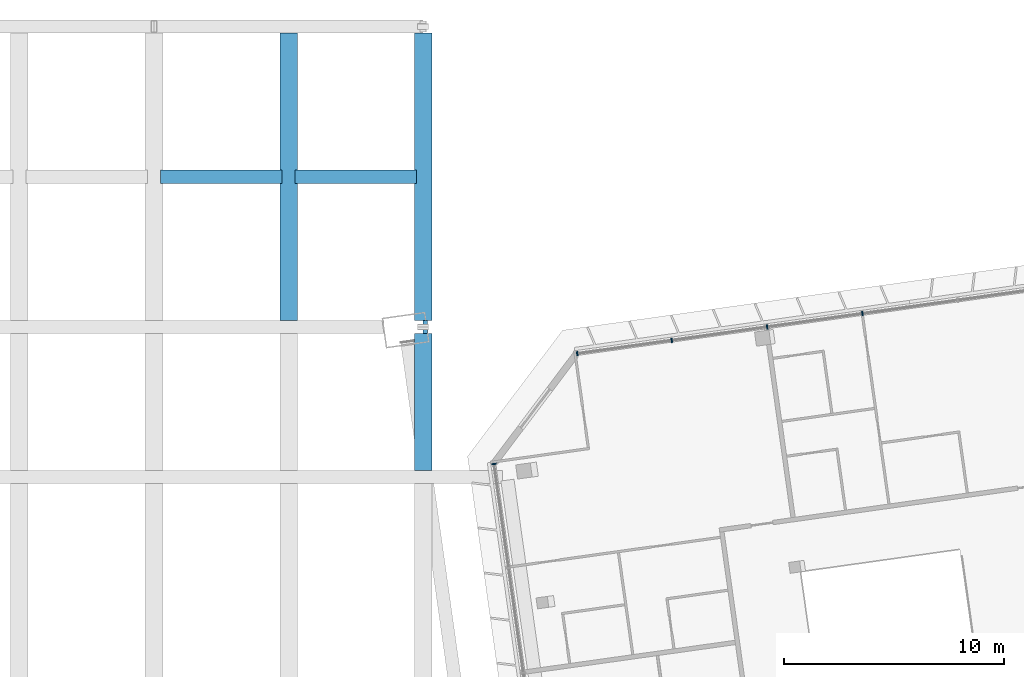
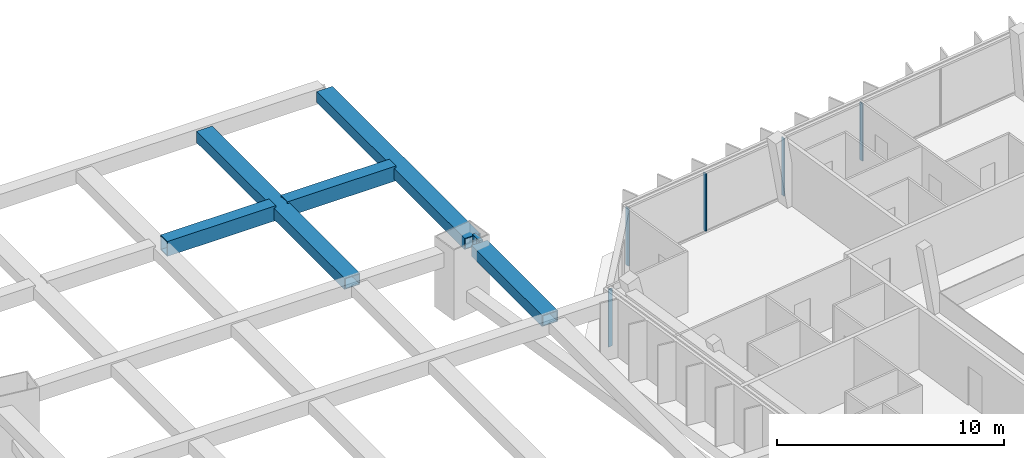
# One storey, part 17 of 36: 11 members, 2 elements without a shape of their own.
"""IFC4 building model written with IfcOpenShell, lengths in metres."""

from ifc_helpers import new_model, si_unit, direction, frame, origin, origin_2d, place, context, subcontext, project, spatial, rectangle, hollow_rectangle, extrude, material, material_profile, profile_set, type_object, element, aggregate, save


model = new_model("IFC4")

# Units and contexts
model_context = context("Model", 3, precision=1e-05, world=origin(), true_north=direction((0.0, 1.0)))
body_context = subcontext(model_context, "Body", "Model", "MODEL_VIEW")
ifc_project = project(units=[si_unit("LENGTHUNIT", "METRE"), si_unit("AREAUNIT", "SQUARE_METRE"), si_unit("VOLUMEUNIT", "CUBIC_METRE"), si_unit("PLANEANGLEUNIT", "RADIAN"), si_unit("MASSUNIT", "GRAM", prefix="KILO")], contexts=[model_context])

# Site, building, storey
site_placement = place(None, origin())
site = spatial("IfcSite", under=ifc_project, at=site_placement, CompositionType="ELEMENT")
building_placement = place(site_placement, origin())
building = spatial("IfcBuilding", under=site, at=building_placement, Name="Mirante Cascada Hotel Towers", CompositionType="ELEMENT")
storey_placement = place(building_placement, frame((0.0, 0.0, 254.6)))
storey = spatial("IfcBuildingStorey", under=building, at=storey_placement, Name="L61", CompositionType="ELEMENT", Elevation=254.6)

# Members
ifc_material_1 = material(Name="Steel ASTM A572 Gr 50", Category="steel")
ifc_material_profile_1 = material_profile(ifc_material_1, hollow_rectangle(XDim=0.6, YDim=0.8, WallThickness=0.04, at=origin_2d()), Name="Box chord 800x600x40 ASTM A572 Gr 50")
ifc_profile_set_1 = profile_set([ifc_material_profile_1], Name="Steel ASTM A572 Gr 50")
member_type_1 = type_object("IfcMemberType", Name="Box chord 800x600x40 ASTM A572 Gr 50", PredefinedType="CHORD", material=ifc_profile_set_1)
member_1_placement = place(storey_placement, frame((6.1257, 17.0475, 2.9), z_axis=(0.0, 1.0, 0.0), x_axis=(0.0, 0.0, 1.0)))
element("IfcMember", 1, at=member_1_placement, inside=storey, type_object=member_type_1, Name="dchord sky park L62 16", PredefinedType="CHORD", context=body_context, shape_type="SweptSolid", body=[
    extrude(hollow_rectangle(XDim=0.6, YDim=0.8, WallThickness=0.04, at=origin_2d()), origin(), (0.0, 0.0, 1.0), 13.0667),
])
member_2_placement = place(storey_placement, frame((12.2514, 10.2142, 2.9), z_axis=(0.0, 1.0, 0.0), x_axis=(0.0, 0.0, 1.0)))
element("IfcMember", 2, at=member_2_placement, inside=storey, type_object=member_type_1, Name="dchord sky park L62 19", PredefinedType="CHORD", context=body_context, shape_type="SweptSolid", body=[
    extrude(hollow_rectangle(XDim=0.6, YDim=0.8, WallThickness=0.04, at=origin_2d()), origin(), (0.0, 0.0, 1.0), 6.2333),
])
member_3_placement = place(storey_placement, frame((12.2514, 17.0475, 2.9), z_axis=(0.0, 1.0, 0.0), x_axis=(0.0, 0.0, 1.0)))
element("IfcMember", 3, at=member_3_placement, inside=storey, type_object=member_type_1, Name="dchord sky park L62 20", PredefinedType="CHORD", context=body_context, shape_type="SweptSolid", body=[
    extrude(hollow_rectangle(XDim=0.6, YDim=0.8, WallThickness=0.04, at=origin_2d()), origin(), (0.0, 0.0, 1.0), 13.0667),
])
member_4_placement = place(storey_placement, frame((12.4389, 16.7475, 2.9), z_axis=(-1.0, 0.0, 0.0), x_axis=(0.0, 1.0, 0.0)))
element("IfcMember", 4, at=member_4_placement, inside=storey, type_object=member_type_1, Name="dchord sky park L62 32", PredefinedType="CHORD", context=body_context, shape_type="SweptSolid", body=[
    extrude(hollow_rectangle(XDim=0.6, YDim=0.8, WallThickness=0.04, at=origin_2d()), origin(), (0.0, 0.0, 1.0), 0.1875),
])
for number, where, z_axis, x_axis, name in (
    (5, (0.3, 23.5808, 2.9), (1.0, 0.0, 0.0), (0.0, 1.0, 0.0), "dchord sky park L62 35"),
    (6, (6.4257, 23.5808, 2.9), (1.0, 0.0, 0.0), (0.0, 1.0, 0.0), "dchord sky park L62 36"),
):
    element("IfcMember", number, at=place(storey_placement, frame(where, z_axis=z_axis, x_axis=x_axis)), inside=storey, type_object=member_type_1, Name=name, PredefinedType="CHORD", context=body_context, shape_type="SweptSolid", body=[
        extrude(hollow_rectangle(XDim=0.6, YDim=0.8, WallThickness=0.04, at=origin_2d()), origin(), (0.0, 0.0, 1.0), 5.5257),
    ])

# Curtain wall, members
ifc_material_2 = material(Name="Aluminium mullion and transom frame with clear laminated glass", Category="aluminium")
curtain_wall_type_1 = type_object("IfcCurtainWallType", Name="Ribbon curtain wall ECW1", PredefinedType="NOTDEFINED", material=ifc_material_2)
curtain_wall_1_placement = place(storey_placement, origin())
curtain_wall_1 = element("IfcCurtainWall", 7, at=curtain_wall_1_placement, inside=storey, type_object=curtain_wall_type_1, Name="Front ribbon wall T2 L61", PredefinedType="NOTDEFINED")
ifc_material_3 = material(Name="Anodised aluminium extrusion", Category="aluminium")
ifc_material_profile_2 = material_profile(ifc_material_3, rectangle(XDim=0.2, YDim=0.065, at=origin_2d()), Name="ECW1 MULLION 65x200")
ifc_profile_set_2 = profile_set([ifc_material_profile_2], Name="Anodised aluminium extrusion")
member_type_2 = type_object("IfcMemberType", Name="ECW1 mullion 65x200", PredefinedType="MULLION", material=ifc_profile_set_2)
member_5_placement = place(storey_placement, frame((32.2446, 17.3507, 0.1), z_axis=(0.0, 0.0, 1.0), x_axis=(0.1391731, -0.9902681, 0.0)))
member_5 = element("IfcMember", 8, at=member_5_placement, type_object=member_type_2, Name="ECW1 mullion 5", PredefinedType="MULLION", context=body_context, shape_type="SweptSolid", body=[
    extrude(rectangle(XDim=0.2, YDim=0.065, at=origin_2d()), origin(), (0.0, 0.0, 1.0), 3.1),
])
member_6_placement = place(storey_placement, frame((27.9067, 16.7411, 0.1), z_axis=(0.0, 0.0, 1.0), x_axis=(0.1391731, -0.9902681, 0.0)))
member_6 = element("IfcMember", 9, at=member_6_placement, type_object=member_type_2, Name="ECW1 mullion 6", PredefinedType="MULLION", context=body_context, shape_type="SweptSolid", body=[
    extrude(rectangle(XDim=0.2, YDim=0.065, at=origin_2d()), origin(), (0.0, 0.0, 1.0), 3.1),
])
member_7_placement = place(storey_placement, frame((23.5688, 16.1314, 0.1), z_axis=(0.0, 0.0, 1.0), x_axis=(0.1391731, -0.9902681, 0.0)))
member_7 = element("IfcMember", 10, at=member_7_placement, type_object=member_type_2, Name="ECW1 mullion 7", PredefinedType="MULLION", context=body_context, shape_type="SweptSolid", body=[
    extrude(rectangle(XDim=0.2, YDim=0.065, at=origin_2d()), origin(), (0.0, 0.0, 1.0), 3.1),
])
member_8_placement = place(storey_placement, frame((19.2631, 15.5263, 0.1), z_axis=(0.0, 0.0, 1.0), x_axis=(0.1391731, -0.9902681, 0.0)))
member_8 = element("IfcMember", 11, at=member_8_placement, type_object=member_type_2, Name="ECW1 mullion 8", PredefinedType="MULLION", context=body_context, shape_type="SweptSolid", body=[
    extrude(rectangle(XDim=0.2, YDim=0.065, at=origin_2d()), origin(), (0.0, 0.0, 1.0), 3.1),
])
aggregate(curtain_wall_1, [member_5, member_6, member_7, member_8])

# Curtain wall, member
ifc_material_4 = material(Name="Aluminium mullion and transom frame with clear laminated glass", Category="aluminium")
curtain_wall_type_2 = type_object("IfcCurtainWallType", Name="End ribbon curtain wall ECW2", PredefinedType="NOTDEFINED", material=ifc_material_4)
curtain_wall_2_placement = place(storey_placement, origin())
curtain_wall_2 = element("IfcCurtainWall", 12, at=curtain_wall_2_placement, inside=storey, type_object=curtain_wall_type_2, Name="Inner end wall T2 L61", PredefinedType="NOTDEFINED")
ifc_material_5 = material(Name="Anodised aluminium extrusion", Category="aluminium")
ifc_material_profile_3 = material_profile(ifc_material_5, rectangle(XDim=0.2, YDim=0.065, at=origin_2d()), Name="ECW2 MULLION 65x200")
ifc_profile_set_3 = profile_set([ifc_material_profile_3], Name="Anodised aluminium extrusion")
member_type_3 = type_object("IfcMemberType", Name="ECW2 mullion 65x200", PredefinedType="MULLION", material=ifc_profile_set_3)
member_9_placement = place(storey_placement, frame((15.4803, 10.5063, 0.1), z_axis=(0.0, 0.0, 1.0), x_axis=(0.9902681, 0.1391731, 0.0)))
member_9 = element("IfcMember", 13, at=member_9_placement, type_object=member_type_3, Name="ECW2 mullion 1", PredefinedType="MULLION", context=body_context, shape_type="SweptSolid", body=[
    extrude(rectangle(XDim=0.2, YDim=0.065, at=origin_2d()), origin(), (0.0, 0.0, 1.0), 3.1),
])
aggregate(curtain_wall_2, [member_9])

save(model, "model.ifc")
